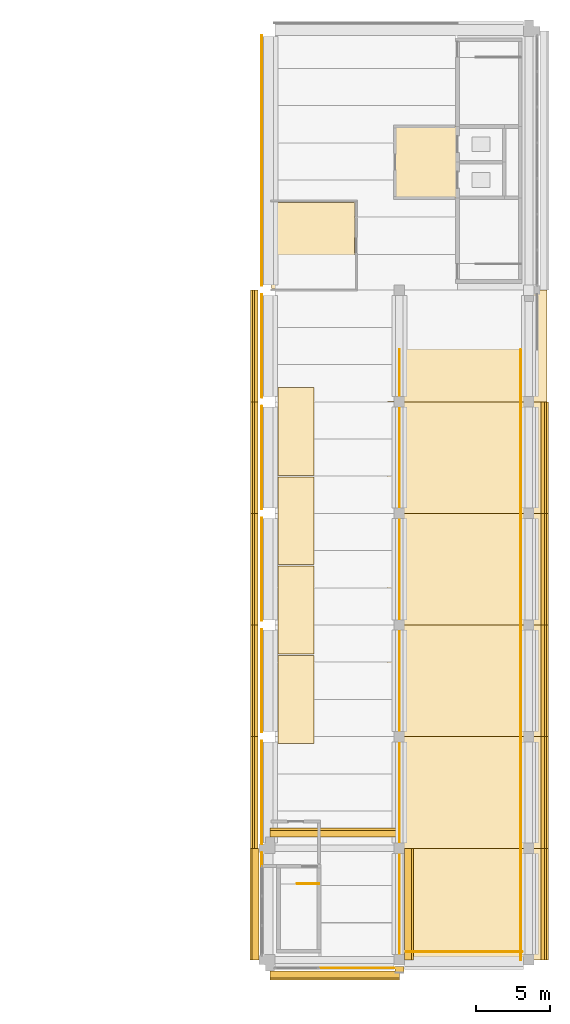
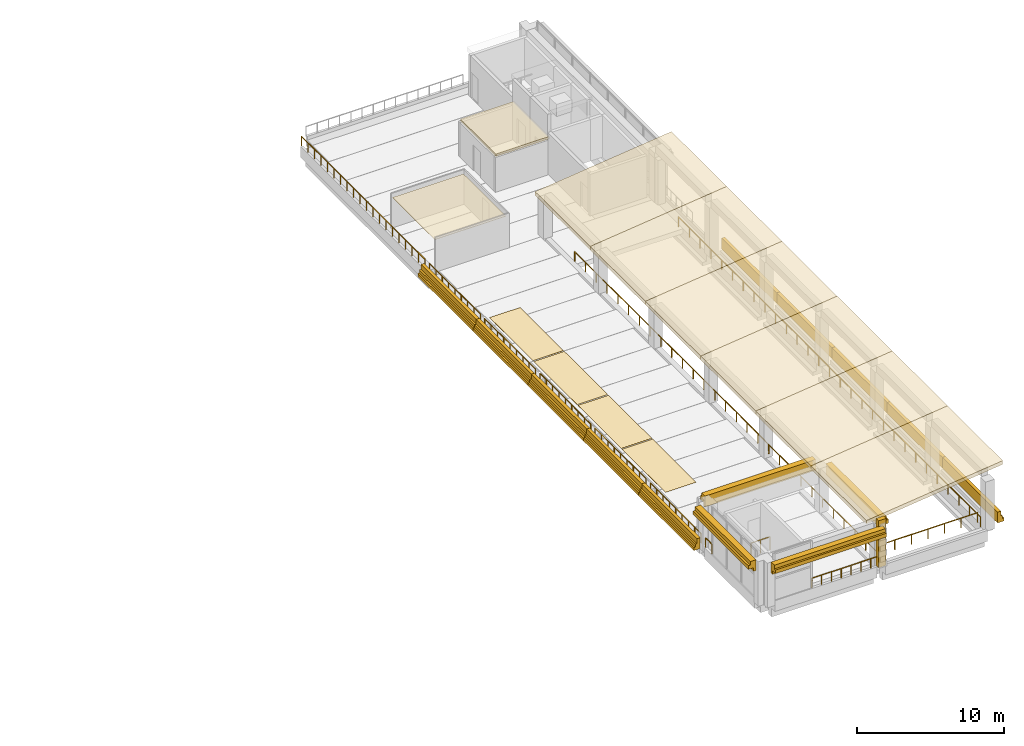
# One storey, part 14 of 17: 27 coverings, 12 railings, 2 elements without a shape of their own.
"""IFC4 building model written with IfcOpenShell, lengths in metres."""

from ifc_helpers import new_model, si_unit, direction, frame, origin, origin_2d, place, context, subcontext, project, spatial, polyline, circle, outline, extrude, material, layer, layer_set, material_profile, profile_set, type_object, element, aggregate, save


model = new_model("IFC4")

# Units and contexts
model_context = context("Model", 3, precision=1e-05, world=origin(), true_north=direction((0.0, 1.0)))
body_context = subcontext(model_context, "Body", "Model", "MODEL_VIEW")
ifc_project = project(units=[si_unit("LENGTHUNIT", "METRE"), si_unit("AREAUNIT", "SQUARE_METRE"), si_unit("VOLUMEUNIT", "CUBIC_METRE"), si_unit("PLANEANGLEUNIT", "RADIAN"), si_unit("MASSUNIT", "GRAM", prefix="KILO")], contexts=[model_context])

# Site, building, storey
site_placement = place(None, origin())
site = spatial("IfcSite", under=ifc_project, at=site_placement, CompositionType="ELEMENT")
building_placement = place(site_placement, origin())
building = spatial("IfcBuilding", under=site, at=building_placement, Name="Cour d'Honneur Mobility Palace", CompositionType="ELEMENT")
storey_placement = place(building_placement, frame((0.0, 0.0, 34.10009765625)))
storey = spatial("IfcBuildingStorey", under=building, at=storey_placement, Name="L09", CompositionType="ELEMENT", Elevation=34.10009765625)

# Railings
ifc_material_1 = material(Name="Painted steel", Category="steel")
railing_type_1 = type_object("IfcRailingType", Name="Balustrade", PredefinedType="BALUSTRADE", material=ifc_material_1)
railing_1_placement = place(storey_placement, frame((148.199951171875, -0.550048828125, 0.2998046875)))
element("IfcRailing", 1, at=railing_1_placement, inside=storey, type_object=railing_type_1, Name="Balustrade BAL-422", PredefinedType="BALUSTRADE", context=body_context, shape_type="SweptSolid", body=[
    extrude(circle(Radius=0.02392578125, at=origin_2d()), frame((0.0, 0.0, 0.77587890625), z_axis=(1.0, 0.0, 0.0), x_axis=(0.0, 1.0, 0.0)), (0.0, 0.0, 1.0), 5.400146484375),
    extrude(circle(Radius=0.02099609375, at=origin_2d()), origin(), (0.0, 0.0, 1.0), 0.751953125),
    extrude(circle(Radius=0.02099609375, at=origin_2d()), frame((0.771484375, 0.0, 0.0)), (0.0, 0.0, 1.0), 0.751953125),
    extrude(circle(Radius=0.02099609375, at=origin_2d()), frame((1.54296875, 0.0, 0.0)), (0.0, 0.0, 1.0), 0.751953125),
    extrude(circle(Radius=0.02099609375, at=origin_2d()), frame((2.314453125, 0.0, 0.0)), (0.0, 0.0, 1.0), 0.751953125),
    extrude(circle(Radius=0.02099609375, at=origin_2d()), frame((3.085693359375, 0.0, 0.0)), (0.0, 0.0, 1.0), 0.751953125),
    extrude(circle(Radius=0.02099609375, at=origin_2d()), frame((3.857177734375, 0.0, 0.0)), (0.0, 0.0, 1.0), 0.751953125),
    extrude(circle(Radius=0.02099609375, at=origin_2d()), frame((4.628662109375, 0.0, 0.0)), (0.0, 0.0, 1.0), 0.751953125),
    extrude(circle(Radius=0.02099609375, at=origin_2d()), frame((5.400146484375, 0.0, 0.0)), (0.0, 0.0, 1.0), 0.751953125),
])
railing_2_placement = place(storey_placement, frame((144.35009765625, 62.10009765625, 0.2998046875)))
element("IfcRailing", 2, at=railing_2_placement, inside=storey, type_object=railing_type_1, Name="Balustrade BAL-425", PredefinedType="BALUSTRADE", context=body_context, shape_type="SweptSolid", body=[
    extrude(circle(Radius=0.02392578125, at=origin_2d()), frame((0.0, 0.0, 0.77587890625), z_axis=(0.0, -1.0, 0.0), x_axis=(1.0, 0.0, 0.0)), (0.0, 0.0, 1.0), 16.800048828125),
    extrude(circle(Radius=0.02099609375, at=origin_2d()), origin(), (0.0, 0.0, 1.0), 0.751953125),
    extrude(circle(Radius=0.02099609375, at=origin_2d()), frame((0.0, -0.88427734375, 0.0)), (0.0, 0.0, 1.0), 0.751953125),
    extrude(circle(Radius=0.02099609375, at=origin_2d()), frame((0.0, -1.768310546875, 0.0)), (0.0, 0.0, 1.0), 0.751953125),
    extrude(circle(Radius=0.02099609375, at=origin_2d()), frame((0.0, -2.652587890625, 0.0)), (0.0, 0.0, 1.0), 0.751953125),
    extrude(circle(Radius=0.02099609375, at=origin_2d()), frame((0.0, -3.536865234375, 0.0)), (0.0, 0.0, 1.0), 0.751953125),
    extrude(circle(Radius=0.02099609375, at=origin_2d()), frame((0.0, -4.421142578125, 0.0)), (0.0, 0.0, 1.0), 0.751953125),
    extrude(circle(Radius=0.02099609375, at=origin_2d()), frame((0.0, -5.30517578125, 0.0)), (0.0, 0.0, 1.0), 0.751953125),
    extrude(circle(Radius=0.02099609375, at=origin_2d()), frame((0.0, -6.189453125, 0.0)), (0.0, 0.0, 1.0), 0.751953125),
    extrude(circle(Radius=0.02099609375, at=origin_2d()), frame((0.0, -7.07373046875, 0.0)), (0.0, 0.0, 1.0), 0.751953125),
    extrude(circle(Radius=0.02099609375, at=origin_2d()), frame((0.0, -7.9580078125, 0.0)), (0.0, 0.0, 1.0), 0.751953125),
    extrude(circle(Radius=0.02099609375, at=origin_2d()), frame((0.0, -8.842041015625, 0.0)), (0.0, 0.0, 1.0), 0.751953125),
    extrude(circle(Radius=0.02099609375, at=origin_2d()), frame((0.0, -9.726318359375, 0.0)), (0.0, 0.0, 1.0), 0.751953125),
    extrude(circle(Radius=0.02099609375, at=origin_2d()), frame((0.0, -10.610595703125, 0.0)), (0.0, 0.0, 1.0), 0.751953125),
    extrude(circle(Radius=0.02099609375, at=origin_2d()), frame((0.0, -11.494873046875, 0.0)), (0.0, 0.0, 1.0), 0.751953125),
    extrude(circle(Radius=0.02099609375, at=origin_2d()), frame((0.0, -12.37890625, 0.0)), (0.0, 0.0, 1.0), 0.751953125),
    extrude(circle(Radius=0.02099609375, at=origin_2d()), frame((0.0, -13.26318359375, 0.0)), (0.0, 0.0, 1.0), 0.751953125),
    extrude(circle(Radius=0.02099609375, at=origin_2d()), frame((0.0, -14.1474609375, 0.0)), (0.0, 0.0, 1.0), 0.751953125),
    extrude(circle(Radius=0.02099609375, at=origin_2d()), frame((0.0, -15.03173828125, 0.0)), (0.0, 0.0, 1.0), 0.751953125),
    extrude(circle(Radius=0.02099609375, at=origin_2d()), frame((0.0, -15.915771484375, 0.0)), (0.0, 0.0, 1.0), 0.751953125),
    extrude(circle(Radius=0.02099609375, at=origin_2d()), frame((0.0, -16.800048828125, 0.0)), (0.0, 0.0, 1.0), 0.751953125),
])
for number, where, name in (
    (3, (144.35009765625, 44.699951171875, 0.2998046875), "Balustrade BAL-426"),
    (4, (144.35009765625, 37.199951171875, 0.2998046875), "Balustrade BAL-427"),
    (5, (144.35009765625, 29.699951171875, 0.2998046875), "Balustrade BAL-428"),
    (6, (144.35009765625, 22.199951171875, 0.2998046875), "Balustrade BAL-429"),
    (7, (144.35009765625, 14.699951171875, 0.2998046875), "Balustrade BAL-430"),
):
    element("IfcRailing", number, at=place(storey_placement, frame(where)), inside=storey, type_object=railing_type_1, Name=name, PredefinedType="BALUSTRADE", context=body_context, shape_type="SweptSolid", body=[
        extrude(circle(Radius=0.02392578125, at=origin_2d()), frame((0.0, 0.0, 0.77587890625), z_axis=(0.0, -1.0, 0.0), x_axis=(1.0, 0.0, 0.0)), (0.0, 0.0, 1.0), 6.89990234375),
        extrude(circle(Radius=0.02099609375, at=origin_2d()), origin(), (0.0, 0.0, 1.0), 0.751953125),
        extrude(circle(Radius=0.02099609375, at=origin_2d()), frame((0.0, -0.862548828125, 0.0)), (0.0, 0.0, 1.0), 0.751953125),
        extrude(circle(Radius=0.02099609375, at=origin_2d()), frame((0.0, -1.72509765625, 0.0)), (0.0, 0.0, 1.0), 0.751953125),
        extrude(circle(Radius=0.02099609375, at=origin_2d()), frame((0.0, -2.58740234375, 0.0)), (0.0, 0.0, 1.0), 0.751953125),
        extrude(circle(Radius=0.02099609375, at=origin_2d()), frame((0.0, -3.449951171875, 0.0)), (0.0, 0.0, 1.0), 0.751953125),
        extrude(circle(Radius=0.02099609375, at=origin_2d()), frame((0.0, -4.3125, 0.0)), (0.0, 0.0, 1.0), 0.751953125),
        extrude(circle(Radius=0.02099609375, at=origin_2d()), frame((0.0, -5.1748046875, 0.0)), (0.0, 0.0, 1.0), 0.751953125),
        extrude(circle(Radius=0.02099609375, at=origin_2d()), frame((0.0, -6.037353515625, 0.0)), (0.0, 0.0, 1.0), 0.751953125),
        extrude(circle(Radius=0.02099609375, at=origin_2d()), frame((0.0, -6.89990234375, 0.0)), (0.0, 0.0, 1.0), 0.751953125),
    ])
railing_3_placement = place(storey_placement, frame((144.35009765625, 7.199951171875, 0.2998046875)))
element("IfcRailing", 8, at=railing_3_placement, inside=storey, type_object=railing_type_1, Name="Balustrade BAL-431", PredefinedType="BALUSTRADE", context=body_context, shape_type="SweptSolid", body=[
    extrude(circle(Radius=0.02392578125, at=origin_2d()), frame((0.0, 0.0, 0.77587890625), z_axis=(0.0, -1.0, 0.0), x_axis=(1.0, 0.0, 0.0)), (0.0, 0.0, 1.0), 0.89990234375),
    extrude(circle(Radius=0.02099609375, at=origin_2d()), origin(), (0.0, 0.0, 1.0), 0.751953125),
    extrude(circle(Radius=0.02099609375, at=origin_2d()), frame((0.0, -0.89990234375, 0.0)), (0.0, 0.0, 1.0), 0.751953125),
])

# Coverings
ifc_material_2 = material(Name="Cast limestone", Category="masonry")
ifc_layer_1 = layer(ifc_material_2, 0.5)
ifc_layer_set_1 = layer_set([ifc_layer_1], Name="Cast limestone")
covering_type_1 = type_object("IfcCoveringType", Name="Crown cornice", PredefinedType="CLADDING", material=ifc_layer_set_1)
for number, where, z_axis, x_axis, name in (
    (9, (163.10009765625, 0.0, 0.099853515625), (0.0, -1.0, 0.0), (1.0, 0.0, 0.0), "Crown cornice CN-73"),
    (10, (163.10009765625, 7.5, 0.099853515625), (0.0, -1.0, 0.0), (1.0, 0.0, 0.0), "Crown cornice CN-74"),
    (11, (163.10009765625, 15.0, 0.099853515625), (0.0, -1.0, 0.0), (1.0, 0.0, 0.0), "Crown cornice CN-75"),
    (12, (163.10009765625, 22.5, 0.099853515625), (0.0, -1.0, 0.0), (1.0, 0.0, 0.0), "Crown cornice CN-76"),
    (13, (163.10009765625, 30.0, 0.099853515625), (0.0, -1.0, 0.0), (1.0, 0.0, 0.0), "Crown cornice CN-77"),
):
    element("IfcCovering", number, at=place(storey_placement, frame(where, z_axis=z_axis, x_axis=x_axis)), inside=storey, type_object=covering_type_1, Name=name, PredefinedType="CLADDING", context=body_context, shape_type="SweptSolid", body=[
        extrude(outline(polyline([(0.0, 0.0), (0.5, 0.0), (0.5, 0.25), (0.3798828125, 0.25), (0.3798828125, 0.5), (0.25, 0.5), (0.25, 0.900146484375), (0.0, 0.900146484375), (0.0, 0.0)])), origin(), (0.0, 0.0, -1.0), 7.5),
    ])
for number, where, z_axis, x_axis, name in (
    (14, (144.10009765625, 45.0, 0.099853515625), (0.0, 1.0, 0.0), (-1.0, 0.0, 0.0), "Crown cornice CN-78"),
    (15, (144.10009765625, 37.5, 0.099853515625), (0.0, 1.0, 0.0), (-1.0, 0.0, 0.0), "Crown cornice CN-79"),
    (16, (144.10009765625, 30.0, 0.099853515625), (0.0, 1.0, 0.0), (-1.0, 0.0, 0.0), "Crown cornice CN-80"),
    (17, (144.10009765625, 22.5, 0.099853515625), (0.0, 1.0, 0.0), (-1.0, 0.0, 0.0), "Crown cornice CN-81"),
    (18, (144.10009765625, 15.0, 0.099853515625), (0.0, 1.0, 0.0), (-1.0, 0.0, 0.0), "Crown cornice CN-82"),
):
    element("IfcCovering", number, at=place(storey_placement, frame(where, z_axis=z_axis, x_axis=x_axis)), inside=storey, type_object=covering_type_1, Name=name, PredefinedType="CLADDING", context=body_context, shape_type="SweptSolid", body=[
        extrude(outline(polyline([(0.0, 0.0), (0.5, 0.0), (0.5, 0.25), (0.380126953125, 0.25), (0.380126953125, 0.5), (0.25, 0.5), (0.25, 0.900146484375), (0.0, 0.900146484375), (0.0, 0.0)])), origin(), (0.0, 0.0, -1.0), 7.5),
    ])
covering_1_placement = place(storey_placement, frame((144.14990234375, 7.5, 2.7998046875), z_axis=(0.0, 1.0, 0.0), x_axis=(-1.0, 0.0, 0.0)))
element("IfcCovering", 19, at=covering_1_placement, inside=storey, type_object=covering_type_1, Name="Crown cornice CN-87", PredefinedType="CLADDING", context=body_context, shape_type="SweptSolid", body=[
    extrude(outline(polyline([(0.0, 0.0), (0.199951171875, 0.0), (0.199951171875, 0.300048828125), (0.599853515625, 0.300048828125), (0.599853515625, 0.60009765625), (0.449951171875, 0.60009765625), (0.449951171875, 0.900146484375), (0.0, 0.900146484375), (0.0, 0.0)])), origin(), (0.0, 0.0, -1.0), 7.5),
])
covering_2_placement = place(storey_placement, frame((144.89990234375, -0.75, 2.7998046875), z_axis=(-1.0, 0.0, 0.0), x_axis=(0.0, -1.0, 0.0)))
element("IfcCovering", 20, at=covering_2_placement, inside=storey, type_object=covering_type_1, Name="Crown cornice CN-88", PredefinedType="CLADDING", context=body_context, shape_type="SweptSolid", body=[
    extrude(outline(polyline([(0.0, 0.0), (0.199951171875, 0.0), (0.199951171875, 0.300048828125), (0.60009765625, 0.300048828125), (0.60009765625, 0.60009765625), (0.449951171875, 0.60009765625), (0.449951171875, 0.900146484375), (0.0, 0.900146484375), (0.0, 0.0)])), origin(), (0.0, 0.0, -1.0), 8.699951171875),
])
covering_3_placement = place(storey_placement, frame((153.949951171875, 0.0, 2.7998046875), z_axis=(0.0, -1.0, 0.0), x_axis=(1.0, 0.0, 0.0)))
element("IfcCovering", 21, at=covering_3_placement, inside=storey, type_object=covering_type_1, Name="Crown cornice CN-89", PredefinedType="CLADDING", context=body_context, shape_type="SweptSolid", body=[
    extrude(outline(polyline([(0.0, 0.0), (0.199951171875, 0.0), (0.199951171875, 0.300048828125), (0.60009765625, 0.300048828125), (0.60009765625, 0.60009765625), (0.449951171875, 0.60009765625), (0.449951171875, 0.900146484375), (0.0, 0.900146484375), (0.0, 0.0)])), origin(), (0.0, 0.0, -1.0), 7.5),
])
covering_4_placement = place(storey_placement, frame((153.60009765625, 8.25, 2.7998046875), z_axis=(1.0, 0.0, 0.0), x_axis=(0.0, 1.0, 0.0)))
element("IfcCovering", 22, at=covering_4_placement, inside=storey, type_object=covering_type_1, Name="Crown cornice CN-90", PredefinedType="CLADDING", context=body_context, shape_type="SweptSolid", body=[
    extrude(outline(polyline([(0.0, 0.0), (0.199951171875, 0.0), (0.199951171875, 0.300048828125), (0.60009765625, 0.300048828125), (0.60009765625, 0.60009765625), (0.449951171875, 0.60009765625), (0.449951171875, 0.900146484375), (0.0, 0.900146484375), (0.0, 0.0)])), origin(), (0.0, 0.0, -1.0), 8.699951171875),
])

# Railing
ifc_material_3 = material(Name="Painted steel", Category="steel")
railing_type_2 = type_object("IfcRailingType", Name="Guardrail 1100", PredefinedType="GUARDRAIL", material=ifc_material_3)
railing_4_placement = place(storey_placement, frame((146.72509765625, 5.1201171875, 0.0)))
element("IfcRailing", 23, at=railing_4_placement, inside=storey, type_object=railing_type_2, Name="Guard ST-RE1", PredefinedType="GUARDRAIL", context=body_context, shape_type="SweptSolid", body=[
    extrude(circle(Radius=0.02490234375, at=origin_2d()), frame((0.0, 0.0, 1.0751953125), z_axis=(1.0, 0.0, 0.0), x_axis=(0.0, 1.0, 0.0)), (0.0, 0.0, 1.0), 1.474853515625),
    extrude(circle(Radius=0.02099609375, at=origin_2d()), origin(), (0.0, 0.0, 1.0), 1.050048828125),
    extrude(circle(Radius=0.02099609375, at=origin_2d()), frame((0.7373046875, 0.0, 0.0)), (0.0, 0.0, 1.0), 1.050048828125),
    extrude(circle(Radius=0.02099609375, at=origin_2d()), frame((1.474853515625, 0.0, 0.0)), (0.0, 0.0, 1.0), 1.050048828125),
])

# Roof, covering
ifc_material_4 = material(Name="Zinc standing seam")
ifc_layer_2 = layer(ifc_material_4, 0.199951171875)
ifc_layer_set_2 = layer_set([ifc_layer_2], Name="Zinc standing seam")
roof_type_1 = type_object("IfcRoofType", Name="Lobby roof", PredefinedType="FLAT_ROOF", material=ifc_layer_set_2)
roof_1_placement = place(storey_placement, origin())
roof_1 = element("IfcRoof", 24, at=roof_1_placement, inside=storey, type_object=roof_type_1, Name="Firefighting Lobby CE roof", PredefinedType="FLAT_ROOF")
ifc_material_5 = material(Name="Zinc standing seam")
ifc_layer_3 = layer(ifc_material_5, 0.199951171875)
ifc_layer_set_3 = layer_set([ifc_layer_3], Name="Zinc standing seam")
covering_type_2 = type_object("IfcCoveringType", Name="Lobby roof panel", PredefinedType="ROOFING", material=ifc_layer_set_3)
covering_5_placement = place(storey_placement, frame((0.0, 0.0, 2.8798828125)))
covering_5 = element("IfcCovering", 25, at=covering_5_placement, type_object=covering_type_2, Name="Firefighting Lobby CE roof panel LP-2", PredefinedType="ROOFING", context=body_context, shape_type="SweptSolid", body=[
    extrude(outline(polyline([(157.5, 51.199951171875), (157.5, 56.0), (153.300048828125, 56.0), (153.300048828125, 51.199951171875), (157.5, 51.199951171875)])), origin(), (0.0, 0.0, 1.0), 0.199951171875),
])
aggregate(roof_1, [covering_5])

# Coverings
ifc_material_6 = material(Name="Parking marking paint")
ifc_layer_4 = layer(ifc_material_6, 0.0048828125)
ifc_layer_set_4 = layer_set([ifc_layer_4], Name="Parking marking paint")
covering_type_3 = type_object("IfcCoveringType", Name="Parking bay marking", PredefinedType="FLOORING", material=ifc_layer_set_4)
covering_6_placement = place(storey_placement, origin())
element("IfcCovering", 26, at=covering_6_placement, inside=storey, type_object=covering_type_3, Name="Parking bay marking L09 1", PredefinedType="FLOORING", context=body_context, shape_type="SweptSolid", body=[
    extrude(outline(polyline([(147.85009765625, 14.550048828125), (145.449951171875, 14.550048828125), (145.449951171875, 20.449951171875), (147.85009765625, 20.449951171875), (147.85009765625, 14.550048828125)])), origin(), (0.0, 0.0, 1.0), 0.0048828125),
])
covering_7_placement = place(storey_placement, origin())
element("IfcCovering", 27, at=covering_7_placement, inside=storey, type_object=covering_type_3, Name="Parking bay marking L09 2", PredefinedType="FLOORING", context=body_context, shape_type="SweptSolid", body=[
    extrude(outline(polyline([(147.85009765625, 20.550048828125), (145.449951171875, 20.550048828125), (145.449951171875, 26.449951171875), (147.85009765625, 26.449951171875), (147.85009765625, 20.550048828125)])), origin(), (0.0, 0.0, 1.0), 0.0048828125),
])
covering_8_placement = place(storey_placement, origin())
element("IfcCovering", 28, at=covering_8_placement, inside=storey, type_object=covering_type_3, Name="Parking bay marking L09 3", PredefinedType="FLOORING", context=body_context, shape_type="SweptSolid", body=[
    extrude(outline(polyline([(147.85009765625, 26.550048828125), (145.449951171875, 26.550048828125), (145.449951171875, 32.449951171875), (147.85009765625, 32.449951171875), (147.85009765625, 26.550048828125)])), origin(), (0.0, 0.0, 1.0), 0.0048828125),
])
covering_9_placement = place(storey_placement, origin())
element("IfcCovering", 29, at=covering_9_placement, inside=storey, type_object=covering_type_3, Name="Parking bay marking L09 4", PredefinedType="FLOORING", context=body_context, shape_type="SweptSolid", body=[
    extrude(outline(polyline([(147.85009765625, 32.550048828125), (145.449951171875, 32.550048828125), (145.449951171875, 38.449951171875), (147.85009765625, 38.449951171875), (147.85009765625, 32.550048828125)])), origin(), (0.0, 0.0, 1.0), 0.0048828125),
])
ifc_material_7 = material(Name="Cast limestone", Category="masonry")
ifc_layer_5 = layer(ifc_material_7, 0.35009765625)
ifc_layer_set_5 = layer_set([ifc_layer_5], Name="Cast limestone")
covering_type_4 = type_object("IfcCoveringType", Name="Pier pilaster", PredefinedType="CLADDING", material=ifc_layer_set_5)
covering_10_placement = place(storey_placement, frame((0.0, 0.0, 0.2998046875)))
element("IfcCovering", 30, at=covering_10_placement, inside=storey, type_object=covering_type_4, Name="Pier pilaster PN-18", PredefinedType="CLADDING", context=body_context, shape_type="SweptSolid", body=[
    extrude(outline(polyline([(153.300048828125, -0.449951171875), (153.89990234375, -0.449951171875), (153.89990234375, -0.800048828125), (153.300048828125, -0.800048828125), (153.300048828125, -0.449951171875)])), origin(), (0.0, 0.0, 1.0), 3.900146484375),
])

# Roof, coverings
ifc_material_8 = material(Name="Concrete C50", Category="concrete")
ifc_layer_6 = layer(ifc_material_8, 0.300048828125)
ifc_layer_set_6 = layer_set([ifc_layer_6], Name="Concrete C50")
roof_type_2 = type_object("IfcRoofType", Name="Ramp house roof", PredefinedType="SHED_ROOF", material=ifc_layer_set_6)
roof_2_placement = place(storey_placement, origin())
roof_2 = element("IfcRoof", 31, at=roof_2_placement, inside=storey, type_object=roof_type_2, Name="Ramp house roof E", PredefinedType="SHED_ROOF")
ifc_material_9 = material(Name="Concrete C50", Category="concrete")
ifc_material_profile = material_profile(ifc_material_9, outline(polyline([(0.800048828125, -0.092041015625), (-9.89990234375, 1.137939453125), (-9.89990234375, 1.43994140625), (0.800048828125, 0.2099609375), (0.800048828125, -0.092041015625)])), Name="Ramp house roof plate E")
ifc_profile_set = profile_set([ifc_material_profile], Name="Concrete C50")
covering_type_5 = type_object("IfcCoveringType", Name="Ramp house roof plate E", PredefinedType="ROOFING", material=ifc_profile_set)
covering_11_placement = place(storey_placement, frame((153.60009765625, 0.0, 3.699951171875), z_axis=(0.0, 1.0, 0.0), x_axis=(-1.0, 0.0, 0.0)))
covering_11 = element("IfcCovering", 32, at=covering_11_placement, type_object=covering_type_5, Name="Ramp house roof plate RHR-E1", PredefinedType="ROOFING", context=body_context, shape_type="SweptSolid", body=[
    extrude(outline(polyline([(0.800048828125, -0.092041015625), (-9.89990234375, 1.137939453125), (-9.89990234375, 1.43994140625), (0.800048828125, 0.2099609375), (0.800048828125, -0.092041015625)])), origin(), (0.0, 0.0, 1.0), 7.5),
])
covering_12_placement = place(storey_placement, frame((153.60009765625, 7.5, 3.699951171875), z_axis=(0.0, 1.0, 0.0), x_axis=(-1.0, 0.0, 0.0)))
covering_12 = element("IfcCovering", 33, at=covering_12_placement, type_object=covering_type_5, Name="Ramp house roof plate RHR-E2", PredefinedType="ROOFING", context=body_context, shape_type="SweptSolid", body=[
    extrude(outline(polyline([(0.800048828125, -0.092041015625), (-9.89990234375, 1.137939453125), (-9.89990234375, 1.43994140625), (0.800048828125, 0.2099609375), (0.800048828125, -0.092041015625)])), origin(), (0.0, 0.0, 1.0), 7.5),
])
covering_13_placement = place(storey_placement, frame((153.60009765625, 15.0, 3.699951171875), z_axis=(0.0, 1.0, 0.0), x_axis=(-1.0, 0.0, 0.0)))
covering_13 = element("IfcCovering", 34, at=covering_13_placement, type_object=covering_type_5, Name="Ramp house roof plate RHR-E3", PredefinedType="ROOFING", context=body_context, shape_type="SweptSolid", body=[
    extrude(outline(polyline([(0.800048828125, -0.092041015625), (-9.89990234375, 1.137939453125), (-9.89990234375, 1.43994140625), (0.800048828125, 0.2099609375), (0.800048828125, -0.092041015625)])), origin(), (0.0, 0.0, 1.0), 7.5),
])
covering_14_placement = place(storey_placement, frame((153.60009765625, 22.5, 3.699951171875), z_axis=(0.0, 1.0, 0.0), x_axis=(-1.0, 0.0, 0.0)))
covering_14 = element("IfcCovering", 35, at=covering_14_placement, type_object=covering_type_5, Name="Ramp house roof plate RHR-E4", PredefinedType="ROOFING", context=body_context, shape_type="SweptSolid", body=[
    extrude(outline(polyline([(0.800048828125, -0.092041015625), (-9.89990234375, 1.137939453125), (-9.89990234375, 1.43994140625), (0.800048828125, 0.2099609375), (0.800048828125, -0.092041015625)])), origin(), (0.0, 0.0, 1.0), 7.5),
])
covering_15_placement = place(storey_placement, frame((153.60009765625, 30.0, 3.699951171875), z_axis=(0.0, 1.0, 0.0), x_axis=(-1.0, 0.0, 0.0)))
covering_15 = element("IfcCovering", 36, at=covering_15_placement, type_object=covering_type_5, Name="Ramp house roof plate RHR-E5", PredefinedType="ROOFING", context=body_context, shape_type="SweptSolid", body=[
    extrude(outline(polyline([(0.800048828125, -0.092041015625), (-9.89990234375, 1.137939453125), (-9.89990234375, 1.43994140625), (0.800048828125, 0.2099609375), (0.800048828125, -0.092041015625)])), origin(), (0.0, 0.0, 1.0), 7.5),
])
covering_16_placement = place(storey_placement, frame((153.60009765625, 37.5, 3.699951171875), z_axis=(0.0, 1.0, 0.0), x_axis=(-1.0, 0.0, 0.0)))
covering_16 = element("IfcCovering", 37, at=covering_16_placement, type_object=covering_type_5, Name="Ramp house roof plate RHR-E6", PredefinedType="ROOFING", context=body_context, shape_type="SweptSolid", body=[
    extrude(outline(polyline([(0.800048828125, -0.092041015625), (-9.89990234375, 1.137939453125), (-9.89990234375, 1.43994140625), (0.800048828125, 0.2099609375), (0.800048828125, -0.092041015625)])), origin(), (0.0, 0.0, 1.0), 7.5),
])
aggregate(roof_2, [covering_11, covering_12, covering_13, covering_14, covering_15, covering_16])

# Covering
ifc_material_10 = material(Name="Suspended ceiling")
ifc_layer_7 = layer(ifc_material_10, 0.030029296875)
ifc_layer_set_7 = layer_set([ifc_layer_7], Name="Suspended ceiling")
covering_type_6 = type_object("IfcCoveringType", Name="Suspended ceiling", PredefinedType="CEILING", material=ifc_layer_set_7)
covering_17_placement = place(storey_placement, frame((0.0, 0.0, 2.5498046875)))
element("IfcCovering", 38, at=covering_17_placement, inside=storey, type_object=covering_type_6, Name="Ceiling Attendant Room", PredefinedType="CEILING", context=body_context, shape_type="SweptSolid", body=[
    extrude(outline(polyline([(150.580078125, 45.1201171875), (145.02001953125, 45.1201171875), (145.02001953125, 50.8798828125), (150.580078125, 50.8798828125), (150.580078125, 45.1201171875)])), origin(), (0.0, 0.0, 1.0), 0.030029296875),
])

# Railings
ifc_material_11 = material(Name="Painted steel", Category="steel")
railing_type_3 = type_object("IfcRailingType", Name="Void edge guard 1100", PredefinedType="GUARDRAIL", material=ifc_material_11)
railing_5_placement = place(storey_placement, frame((153.60009765625, 0.0, 0.2998046875)))
element("IfcRailing", 39, at=railing_5_placement, inside=storey, type_object=railing_type_3, Name="Void edge guard SE L09", PredefinedType="GUARDRAIL", context=body_context, shape_type="SweptSolid", body=[
    extrude(circle(Radius=0.02490234375, at=origin_2d()), frame((0.0, 0.0, 0.77490234375), z_axis=(0.0, 1.0, 0.0), x_axis=(-1.0, 0.0, 0.0)), (0.0, 0.0, 1.0), 41.0),
    extrude(circle(Radius=0.02099609375, at=origin_2d()), origin(), (0.0, 0.0, 1.0), 0.75),
    extrude(circle(Radius=0.02099609375, at=origin_2d()), frame((0.0, 1.46435546875, 0.0)), (0.0, 0.0, 1.0), 0.75),
    extrude(circle(Radius=0.02099609375, at=origin_2d()), frame((0.0, 2.928466796875, 0.0)), (0.0, 0.0, 1.0), 0.75),
    extrude(circle(Radius=0.02099609375, at=origin_2d()), frame((0.0, 4.392822265625, 0.0)), (0.0, 0.0, 1.0), 0.75),
    extrude(circle(Radius=0.02099609375, at=origin_2d()), frame((0.0, 5.857177734375, 0.0)), (0.0, 0.0, 1.0), 0.75),
    extrude(circle(Radius=0.02099609375, at=origin_2d()), frame((0.0, 7.321533203125, 0.0)), (0.0, 0.0, 1.0), 0.75),
    extrude(circle(Radius=0.02099609375, at=origin_2d()), frame((0.0, 8.78564453125, 0.0)), (0.0, 0.0, 1.0), 0.75),
    extrude(circle(Radius=0.02099609375, at=origin_2d()), frame((0.0, 10.25, 0.0)), (0.0, 0.0, 1.0), 0.75),
    extrude(circle(Radius=0.02099609375, at=origin_2d()), frame((0.0, 11.71435546875, 0.0)), (0.0, 0.0, 1.0), 0.75),
    extrude(circle(Radius=0.02099609375, at=origin_2d()), frame((0.0, 13.178466796875, 0.0)), (0.0, 0.0, 1.0), 0.75),
    extrude(circle(Radius=0.02099609375, at=origin_2d()), frame((0.0, 14.642822265625, 0.0)), (0.0, 0.0, 1.0), 0.75),
    extrude(circle(Radius=0.02099609375, at=origin_2d()), frame((0.0, 16.107177734375, 0.0)), (0.0, 0.0, 1.0), 0.75),
    extrude(circle(Radius=0.02099609375, at=origin_2d()), frame((0.0, 17.571533203125, 0.0)), (0.0, 0.0, 1.0), 0.75),
    extrude(circle(Radius=0.02099609375, at=origin_2d()), frame((0.0, 19.03564453125, 0.0)), (0.0, 0.0, 1.0), 0.75),
    extrude(circle(Radius=0.02099609375, at=origin_2d()), frame((0.0, 20.5, 0.0)), (0.0, 0.0, 1.0), 0.75),
    extrude(circle(Radius=0.02099609375, at=origin_2d()), frame((0.0, 21.96435546875, 0.0)), (0.0, 0.0, 1.0), 0.75),
    extrude(circle(Radius=0.02099609375, at=origin_2d()), frame((0.0, 23.428466796875, 0.0)), (0.0, 0.0, 1.0), 0.75),
    extrude(circle(Radius=0.02099609375, at=origin_2d()), frame((0.0, 24.892822265625, 0.0)), (0.0, 0.0, 1.0), 0.75),
    extrude(circle(Radius=0.02099609375, at=origin_2d()), frame((0.0, 26.357177734375, 0.0)), (0.0, 0.0, 1.0), 0.75),
    extrude(circle(Radius=0.02099609375, at=origin_2d()), frame((0.0, 27.821533203125, 0.0)), (0.0, 0.0, 1.0), 0.75),
    extrude(circle(Radius=0.02099609375, at=origin_2d()), frame((0.0, 29.28564453125, 0.0)), (0.0, 0.0, 1.0), 0.75),
    extrude(circle(Radius=0.02099609375, at=origin_2d()), frame((0.0, 30.75, 0.0)), (0.0, 0.0, 1.0), 0.75),
    extrude(circle(Radius=0.02099609375, at=origin_2d()), frame((0.0, 32.21435546875, 0.0)), (0.0, 0.0, 1.0), 0.75),
    extrude(circle(Radius=0.02099609375, at=origin_2d()), frame((0.0, 33.678466796875, 0.0)), (0.0, 0.0, 1.0), 0.75),
    extrude(circle(Radius=0.02099609375, at=origin_2d()), frame((0.0, 35.142822265625, 0.0)), (0.0, 0.0, 1.0), 0.75),
    extrude(circle(Radius=0.02099609375, at=origin_2d()), frame((0.0, 36.607177734375, 0.0)), (0.0, 0.0, 1.0), 0.75),
    extrude(circle(Radius=0.02099609375, at=origin_2d()), frame((0.0, 38.071533203125, 0.0)), (0.0, 0.0, 1.0), 0.75),
    extrude(circle(Radius=0.02099609375, at=origin_2d()), frame((0.0, 39.53564453125, 0.0)), (0.0, 0.0, 1.0), 0.75),
    extrude(circle(Radius=0.02099609375, at=origin_2d()), frame((0.0, 41.0, 0.0)), (0.0, 0.0, 1.0), 0.75),
])
railing_6_placement = place(storey_placement, frame((161.75, 0.0, 0.2998046875)))
element("IfcRailing", 40, at=railing_6_placement, inside=storey, type_object=railing_type_3, Name="Void edge guard SE L09", PredefinedType="GUARDRAIL", context=body_context, shape_type="SweptSolid", body=[
    extrude(circle(Radius=0.02490234375, at=origin_2d()), frame((0.0, 0.0, 0.77490234375), z_axis=(0.0, 1.0, 0.0), x_axis=(-1.0, 0.0, 0.0)), (0.0, 0.0, 1.0), 41.0),
    extrude(circle(Radius=0.02099609375, at=origin_2d()), origin(), (0.0, 0.0, 1.0), 0.75),
    extrude(circle(Radius=0.02099609375, at=origin_2d()), frame((0.0, 1.46435546875, 0.0)), (0.0, 0.0, 1.0), 0.75),
    extrude(circle(Radius=0.02099609375, at=origin_2d()), frame((0.0, 2.928466796875, 0.0)), (0.0, 0.0, 1.0), 0.75),
    extrude(circle(Radius=0.02099609375, at=origin_2d()), frame((0.0, 4.392822265625, 0.0)), (0.0, 0.0, 1.0), 0.75),
    extrude(circle(Radius=0.02099609375, at=origin_2d()), frame((0.0, 5.857177734375, 0.0)), (0.0, 0.0, 1.0), 0.75),
    extrude(circle(Radius=0.02099609375, at=origin_2d()), frame((0.0, 7.321533203125, 0.0)), (0.0, 0.0, 1.0), 0.75),
    extrude(circle(Radius=0.02099609375, at=origin_2d()), frame((0.0, 8.78564453125, 0.0)), (0.0, 0.0, 1.0), 0.75),
    extrude(circle(Radius=0.02099609375, at=origin_2d()), frame((0.0, 10.25, 0.0)), (0.0, 0.0, 1.0), 0.75),
    extrude(circle(Radius=0.02099609375, at=origin_2d()), frame((0.0, 11.71435546875, 0.0)), (0.0, 0.0, 1.0), 0.75),
    extrude(circle(Radius=0.02099609375, at=origin_2d()), frame((0.0, 13.178466796875, 0.0)), (0.0, 0.0, 1.0), 0.75),
    extrude(circle(Radius=0.02099609375, at=origin_2d()), frame((0.0, 14.642822265625, 0.0)), (0.0, 0.0, 1.0), 0.75),
    extrude(circle(Radius=0.02099609375, at=origin_2d()), frame((0.0, 16.107177734375, 0.0)), (0.0, 0.0, 1.0), 0.75),
    extrude(circle(Radius=0.02099609375, at=origin_2d()), frame((0.0, 17.571533203125, 0.0)), (0.0, 0.0, 1.0), 0.75),
    extrude(circle(Radius=0.02099609375, at=origin_2d()), frame((0.0, 19.03564453125, 0.0)), (0.0, 0.0, 1.0), 0.75),
    extrude(circle(Radius=0.02099609375, at=origin_2d()), frame((0.0, 20.5, 0.0)), (0.0, 0.0, 1.0), 0.75),
    extrude(circle(Radius=0.02099609375, at=origin_2d()), frame((0.0, 21.96435546875, 0.0)), (0.0, 0.0, 1.0), 0.75),
    extrude(circle(Radius=0.02099609375, at=origin_2d()), frame((0.0, 23.428466796875, 0.0)), (0.0, 0.0, 1.0), 0.75),
    extrude(circle(Radius=0.02099609375, at=origin_2d()), frame((0.0, 24.892822265625, 0.0)), (0.0, 0.0, 1.0), 0.75),
    extrude(circle(Radius=0.02099609375, at=origin_2d()), frame((0.0, 26.357177734375, 0.0)), (0.0, 0.0, 1.0), 0.75),
    extrude(circle(Radius=0.02099609375, at=origin_2d()), frame((0.0, 27.821533203125, 0.0)), (0.0, 0.0, 1.0), 0.75),
    extrude(circle(Radius=0.02099609375, at=origin_2d()), frame((0.0, 29.28564453125, 0.0)), (0.0, 0.0, 1.0), 0.75),
    extrude(circle(Radius=0.02099609375, at=origin_2d()), frame((0.0, 30.75, 0.0)), (0.0, 0.0, 1.0), 0.75),
    extrude(circle(Radius=0.02099609375, at=origin_2d()), frame((0.0, 32.21435546875, 0.0)), (0.0, 0.0, 1.0), 0.75),
    extrude(circle(Radius=0.02099609375, at=origin_2d()), frame((0.0, 33.678466796875, 0.0)), (0.0, 0.0, 1.0), 0.75),
    extrude(circle(Radius=0.02099609375, at=origin_2d()), frame((0.0, 35.142822265625, 0.0)), (0.0, 0.0, 1.0), 0.75),
    extrude(circle(Radius=0.02099609375, at=origin_2d()), frame((0.0, 36.607177734375, 0.0)), (0.0, 0.0, 1.0), 0.75),
    extrude(circle(Radius=0.02099609375, at=origin_2d()), frame((0.0, 38.071533203125, 0.0)), (0.0, 0.0, 1.0), 0.75),
    extrude(circle(Radius=0.02099609375, at=origin_2d()), frame((0.0, 39.53564453125, 0.0)), (0.0, 0.0, 1.0), 0.75),
    extrude(circle(Radius=0.02099609375, at=origin_2d()), frame((0.0, 41.0, 0.0)), (0.0, 0.0, 1.0), 0.75),
])
railing_7_placement = place(storey_placement, frame((154.050048828125, 0.550048828125, 0.2998046875)))
element("IfcRailing", 41, at=railing_7_placement, inside=storey, type_object=railing_type_3, Name="Void edge guard SE L09", PredefinedType="GUARDRAIL", context=body_context, shape_type="SweptSolid", body=[
    extrude(circle(Radius=0.02490234375, at=origin_2d()), frame((0.0, 0.0, 0.77490234375), z_axis=(1.0, 0.0, 0.0), x_axis=(0.0, 1.0, 0.0)), (0.0, 0.0, 1.0), 7.800048828125),
    extrude(circle(Radius=0.02099609375, at=origin_2d()), origin(), (0.0, 0.0, 1.0), 0.75),
    extrude(circle(Radius=0.02099609375, at=origin_2d()), frame((1.300048828125, 0.0, 0.0)), (0.0, 0.0, 1.0), 0.75),
    extrude(circle(Radius=0.02099609375, at=origin_2d()), frame((2.60009765625, 0.0, 0.0)), (0.0, 0.0, 1.0), 0.75),
    extrude(circle(Radius=0.02099609375, at=origin_2d()), frame((3.89990234375, 0.0, 0.0)), (0.0, 0.0, 1.0), 0.75),
    extrude(circle(Radius=0.02099609375, at=origin_2d()), frame((5.199951171875, 0.0, 0.0)), (0.0, 0.0, 1.0), 0.75),
    extrude(circle(Radius=0.02099609375, at=origin_2d()), frame((6.5, 0.0, 0.0)), (0.0, 0.0, 1.0), 0.75),
    extrude(circle(Radius=0.02099609375, at=origin_2d()), frame((7.800048828125, 0.0, 0.0)), (0.0, 0.0, 1.0), 0.75),
])

save(model, "model.ifc")
